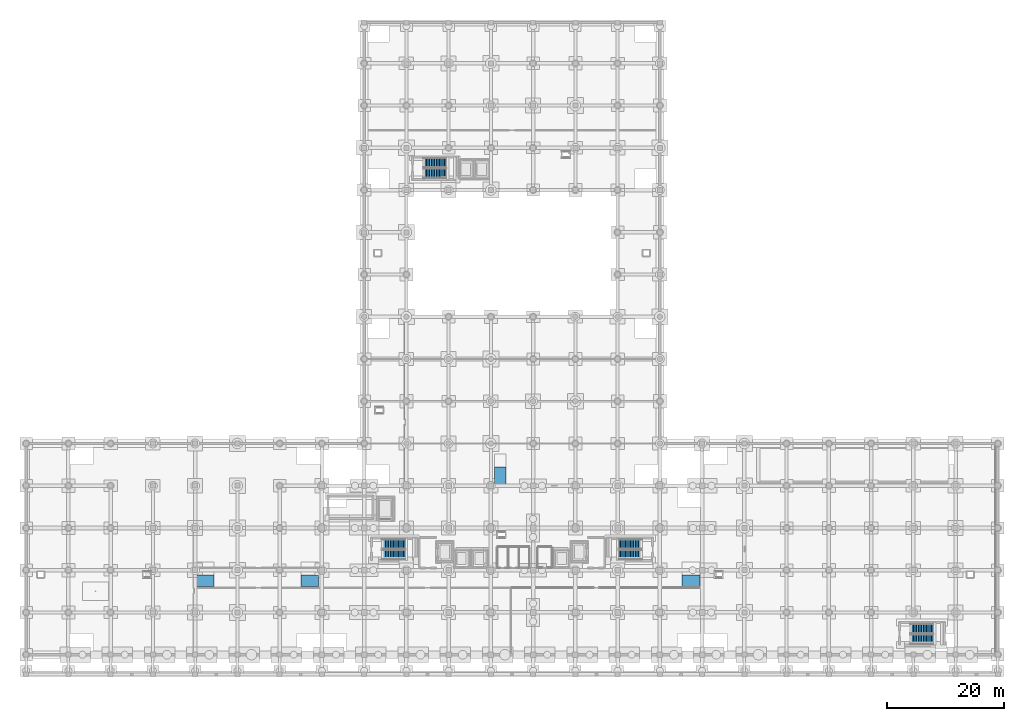
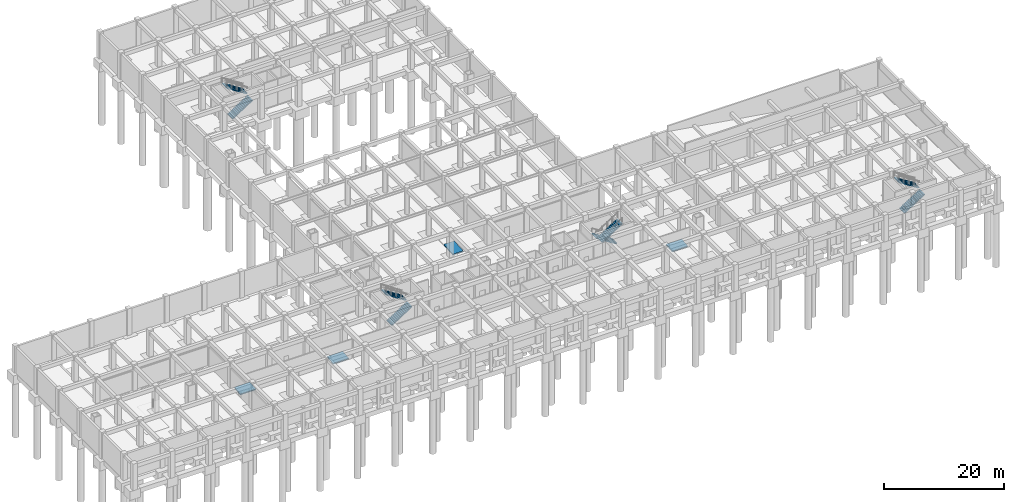
# One storey, part 19 of 26: 8 stair flights, 4 ramp flights, 8 elements without a shape of their own.
"""IFC4 building model written with IfcOpenShell, lengths in metres."""

from ifc_helpers import new_model, si_unit, direction, frame, origin, place, context, subcontext, project, spatial, polyline, outline, extrude, material, layer, layer_set, type_object, element, aggregate, save


model = new_model("IFC4")

# Units and contexts
model_context = context("Model", 3, precision=1e-05, world=origin(), true_north=direction((0.0, 1.0)))
body_context = subcontext(model_context, "Body", "Model", "MODEL_VIEW")
ifc_project = project(units=[si_unit("LENGTHUNIT", "METRE"), si_unit("AREAUNIT", "SQUARE_METRE"), si_unit("VOLUMEUNIT", "CUBIC_METRE"), si_unit("PLANEANGLEUNIT", "RADIAN"), si_unit("MASSUNIT", "GRAM", prefix="KILO")], contexts=[model_context])

# Site, building, storey
site_placement = place(None, origin())
site = spatial("IfcSite", under=ifc_project, at=site_placement, CompositionType="ELEMENT")
building_placement = place(site_placement, origin())
building = spatial("IfcBuilding", under=site, at=building_placement, Name="Kazehaya Institute of Natural Sciences", CompositionType="ELEMENT")
storey_placement = place(building_placement, frame((0.0, 0.0, -5.39990234375)))
storey = spatial("IfcBuildingStorey", under=building, at=storey_placement, Name="B1", CompositionType="ELEMENT", Elevation=-5.39990234375)

# Stair, stair flights
ifc_material = material(Name="Concrete Fc36", Category="concrete")
stair_type = type_object("IfcStairType", Name="STR-DOG-5400", PredefinedType="HALF_TURN_STAIR", material=ifc_material)
stair_1_placement = place(storey_placement, origin())
stair_1 = element("IfcStair", 1, at=stair_1_placement, inside=storey, type_object=stair_type, Name="B1 Protected Escape Stair ST-1", PredefinedType="HALF_TURN_STAIR")
stair_flight_type = type_object("IfcStairFlightType", Name="STF-DOG-5400", PredefinedType="STRAIGHT", material=ifc_material)
stair_flight_1_placement = place(storey_placement, frame((64.860107421875, 23.830078125, 0.0), z_axis=(0.0, 0.0, 1.0), x_axis=(1.0, 0.0, 0.0)))
stair_flight_1 = element("IfcStairFlight", 2, at=stair_flight_1_placement, type_object=stair_flight_type, Name="ST-1 flight 1", NumberOfRisers=15, NumberOfTreads=14, PredefinedType="STRAIGHT", RiserHeight=0.18, TreadLength=0.28, context=body_context, shape_type="SweptSolid", body=[
    extrude(outline(polyline([(0.0, 0.0), (0.0, 0.179931640625), (0.280029296875, 0.179931640625), (0.280029296875, 0.360107421875), (0.56005859375, 0.360107421875), (0.56005859375, 0.5400390625), (0.840087890625, 0.5400390625), (0.840087890625, 0.719970703125), (1.1201171875, 0.719970703125), (1.1201171875, 0.89990234375), (1.39990234375, 0.89990234375), (1.39990234375, 1.080078125), (1.679931640625, 1.080078125), (1.679931640625, 1.260009765625), (1.9599609375, 1.260009765625), (1.9599609375, 1.43994140625), (2.239990234375, 1.43994140625), (2.239990234375, 1.6201171875), (2.52001953125, 1.6201171875), (2.52001953125, 1.800048828125), (2.800048828125, 1.800048828125), (2.800048828125, 1.97998046875), (3.080078125, 1.97998046875), (3.080078125, 2.159912109375), (3.360107421875, 2.159912109375), (3.360107421875, 2.340087890625), (3.639892578125, 2.340087890625), (3.639892578125, 2.52001953125), (3.919921875, 2.52001953125), (3.919921875, 2.699951171875), (3.919921875, 2.341796875), (0.277099609375, 0.0), (0.0, 0.0)])), frame((0.0, 0.830078125, 0.0), z_axis=(0.0, -1.0, 0.0), x_axis=(1.0, 0.0, 0.0)), (0.0, 0.0, 1.0), 1.659912109375),
])
stair_flight_2_placement = place(storey_placement, frame((68.780029296875, 25.64990234375, 2.699951171875), z_axis=(0.0, 0.0, 1.0), x_axis=(-1.0, 0.0, 0.0)))
stair_flight_2 = element("IfcStairFlight", 3, at=stair_flight_2_placement, type_object=stair_flight_type, Name="ST-1 flight 2", NumberOfRisers=15, NumberOfTreads=14, PredefinedType="STRAIGHT", RiserHeight=0.18, TreadLength=0.28, context=body_context, shape_type="SweptSolid", body=[
    extrude(outline(polyline([(0.0, 0.0), (0.0, 0.179931640625), (0.280029296875, 0.179931640625), (0.280029296875, 0.360107421875), (0.56005859375, 0.360107421875), (0.56005859375, 0.5400390625), (0.840087890625, 0.5400390625), (0.840087890625, 0.719970703125), (1.1201171875, 0.719970703125), (1.1201171875, 0.89990234375), (1.39990234375, 0.89990234375), (1.39990234375, 1.080078125), (1.679931640625, 1.080078125), (1.679931640625, 1.260009765625), (1.9599609375, 1.260009765625), (1.9599609375, 1.43994140625), (2.239990234375, 1.43994140625), (2.239990234375, 1.6201171875), (2.52001953125, 1.6201171875), (2.52001953125, 1.800048828125), (2.800048828125, 1.800048828125), (2.800048828125, 1.97998046875), (3.080078125, 1.97998046875), (3.080078125, 2.159912109375), (3.360107421875, 2.159912109375), (3.360107421875, 2.340087890625), (3.639892578125, 2.340087890625), (3.639892578125, 2.52001953125), (3.919921875, 2.52001953125), (3.919921875, 2.699951171875), (3.919921875, 2.341796875), (0.277099609375, 0.0), (0.0, 0.0)])), frame((0.0, 0.830078125, 0.0), z_axis=(0.0, -1.0, 0.0), x_axis=(1.0, 0.0, 0.0)), (0.0, 0.0, 1.0), 1.659912109375),
])
aggregate(stair_1, [stair_flight_1, stair_flight_2])

stair_2_placement = place(storey_placement, origin())
stair_2 = element("IfcStair", 4, at=stair_2_placement, inside=storey, type_object=stair_type, Name="B1 Protected Escape Stair ST-2", PredefinedType="HALF_TURN_STAIR")
stair_flight_3_placement = place(storey_placement, frame((109.139892578125, 25.64990234375, 0.0), z_axis=(0.0, 0.0, 1.0), x_axis=(-1.0, 0.0, 0.0)))
stair_flight_3 = element("IfcStairFlight", 5, at=stair_flight_3_placement, type_object=stair_flight_type, Name="ST-2 flight 1", NumberOfRisers=15, NumberOfTreads=14, PredefinedType="STRAIGHT", RiserHeight=0.18, TreadLength=0.28, context=body_context, shape_type="SweptSolid", body=[
    extrude(outline(polyline([(0.0, 0.0), (0.0, 0.179931640625), (0.280029296875, 0.179931640625), (0.280029296875, 0.360107421875), (0.56005859375, 0.360107421875), (0.56005859375, 0.5400390625), (0.840087890625, 0.5400390625), (0.840087890625, 0.719970703125), (1.1201171875, 0.719970703125), (1.1201171875, 0.89990234375), (1.39990234375, 0.89990234375), (1.39990234375, 1.080078125), (1.679931640625, 1.080078125), (1.679931640625, 1.260009765625), (1.9599609375, 1.260009765625), (1.9599609375, 1.43994140625), (2.239990234375, 1.43994140625), (2.239990234375, 1.6201171875), (2.52001953125, 1.6201171875), (2.52001953125, 1.800048828125), (2.800048828125, 1.800048828125), (2.800048828125, 1.97998046875), (3.080078125, 1.97998046875), (3.080078125, 2.159912109375), (3.360107421875, 2.159912109375), (3.360107421875, 2.340087890625), (3.639892578125, 2.340087890625), (3.639892578125, 2.52001953125), (3.919921875, 2.52001953125), (3.919921875, 2.699951171875), (3.919921875, 2.341796875), (0.277099609375, 0.0), (0.0, 0.0)])), frame((0.0, 0.830078125, 0.0), z_axis=(0.0, -1.0, 0.0), x_axis=(1.0, 0.0, 0.0)), (0.0, 0.0, 1.0), 1.659912109375),
])
stair_flight_4_placement = place(storey_placement, frame((105.219970703125, 23.830078125, 2.699951171875), z_axis=(0.0, 0.0, 1.0), x_axis=(1.0, 0.0, 0.0)))
stair_flight_4 = element("IfcStairFlight", 6, at=stair_flight_4_placement, type_object=stair_flight_type, Name="ST-2 flight 2", NumberOfRisers=15, NumberOfTreads=14, PredefinedType="STRAIGHT", RiserHeight=0.18, TreadLength=0.28, context=body_context, shape_type="SweptSolid", body=[
    extrude(outline(polyline([(0.0, 0.0), (0.0, 0.179931640625), (0.280029296875, 0.179931640625), (0.280029296875, 0.360107421875), (0.56005859375, 0.360107421875), (0.56005859375, 0.5400390625), (0.840087890625, 0.5400390625), (0.840087890625, 0.719970703125), (1.1201171875, 0.719970703125), (1.1201171875, 0.89990234375), (1.39990234375, 0.89990234375), (1.39990234375, 1.080078125), (1.679931640625, 1.080078125), (1.679931640625, 1.260009765625), (1.9599609375, 1.260009765625), (1.9599609375, 1.43994140625), (2.239990234375, 1.43994140625), (2.239990234375, 1.6201171875), (2.52001953125, 1.6201171875), (2.52001953125, 1.800048828125), (2.800048828125, 1.800048828125), (2.800048828125, 1.97998046875), (3.080078125, 1.97998046875), (3.080078125, 2.159912109375), (3.360107421875, 2.159912109375), (3.360107421875, 2.340087890625), (3.639892578125, 2.340087890625), (3.639892578125, 2.52001953125), (3.919921875, 2.52001953125), (3.919921875, 2.699951171875), (3.919921875, 2.341796875), (0.277099609375, 0.0), (0.0, 0.0)])), frame((0.0, 0.830078125, 0.0), z_axis=(0.0, -1.0, 0.0), x_axis=(1.0, 0.0, 0.0)), (0.0, 0.0, 1.0), 1.659912109375),
])
aggregate(stair_2, [stair_flight_3, stair_flight_4])

stair_3_placement = place(storey_placement, origin())
stair_3 = element("IfcStair", 7, at=stair_3_placement, inside=storey, type_object=stair_type, Name="B1 Protected Escape Stair ST-3", PredefinedType="HALF_TURN_STAIR")
stair_flight_5_placement = place(storey_placement, frame((71.860107421875, 88.830078125, 0.0), z_axis=(0.0, 0.0, 1.0), x_axis=(1.0, 0.0, 0.0)))
stair_flight_5 = element("IfcStairFlight", 8, at=stair_flight_5_placement, type_object=stair_flight_type, Name="ST-3 flight 1", NumberOfRisers=15, NumberOfTreads=14, PredefinedType="STRAIGHT", RiserHeight=0.18, TreadLength=0.28, context=body_context, shape_type="SweptSolid", body=[
    extrude(outline(polyline([(0.0, 0.0), (0.0, 0.179931640625), (0.280029296875, 0.179931640625), (0.280029296875, 0.360107421875), (0.56005859375, 0.360107421875), (0.56005859375, 0.5400390625), (0.840087890625, 0.5400390625), (0.840087890625, 0.719970703125), (1.1201171875, 0.719970703125), (1.1201171875, 0.89990234375), (1.39990234375, 0.89990234375), (1.39990234375, 1.080078125), (1.679931640625, 1.080078125), (1.679931640625, 1.260009765625), (1.9599609375, 1.260009765625), (1.9599609375, 1.43994140625), (2.239990234375, 1.43994140625), (2.239990234375, 1.6201171875), (2.52001953125, 1.6201171875), (2.52001953125, 1.800048828125), (2.800048828125, 1.800048828125), (2.800048828125, 1.97998046875), (3.080078125, 1.97998046875), (3.080078125, 2.159912109375), (3.360107421875, 2.159912109375), (3.360107421875, 2.340087890625), (3.639892578125, 2.340087890625), (3.639892578125, 2.52001953125), (3.919921875, 2.52001953125), (3.919921875, 2.699951171875), (3.919921875, 2.341796875), (0.277099609375, 0.0), (0.0, 0.0)])), frame((0.0, 0.830078125, 0.0), z_axis=(0.0, -1.0, 0.0), x_axis=(1.0, 0.0, 0.0)), (0.0, 0.0, 1.0), 1.659912109375),
])
stair_flight_6_placement = place(storey_placement, frame((75.780029296875, 90.64990234375, 2.699951171875), z_axis=(0.0, 0.0, 1.0), x_axis=(-1.0, 0.0, 0.0)))
stair_flight_6 = element("IfcStairFlight", 9, at=stair_flight_6_placement, type_object=stair_flight_type, Name="ST-3 flight 2", NumberOfRisers=15, NumberOfTreads=14, PredefinedType="STRAIGHT", RiserHeight=0.18, TreadLength=0.28, context=body_context, shape_type="SweptSolid", body=[
    extrude(outline(polyline([(0.0, 0.0), (0.0, 0.179931640625), (0.280029296875, 0.179931640625), (0.280029296875, 0.360107421875), (0.56005859375, 0.360107421875), (0.56005859375, 0.5400390625), (0.840087890625, 0.5400390625), (0.840087890625, 0.719970703125), (1.1201171875, 0.719970703125), (1.1201171875, 0.89990234375), (1.39990234375, 0.89990234375), (1.39990234375, 1.080078125), (1.679931640625, 1.080078125), (1.679931640625, 1.260009765625), (1.9599609375, 1.260009765625), (1.9599609375, 1.43994140625), (2.239990234375, 1.43994140625), (2.239990234375, 1.6201171875), (2.52001953125, 1.6201171875), (2.52001953125, 1.800048828125), (2.800048828125, 1.800048828125), (2.800048828125, 1.97998046875), (3.080078125, 1.97998046875), (3.080078125, 2.159912109375), (3.360107421875, 2.159912109375), (3.360107421875, 2.340087890625), (3.639892578125, 2.340087890625), (3.639892578125, 2.52001953125), (3.919921875, 2.52001953125), (3.919921875, 2.699951171875), (3.919921875, 2.341796875), (0.277099609375, 0.0), (0.0, 0.0)])), frame((0.0, 0.830078125, 0.0), z_axis=(0.0, -1.0, 0.0), x_axis=(1.0, 0.0, 0.0)), (0.0, 0.0, 1.0), 1.659912109375),
])
aggregate(stair_3, [stair_flight_5, stair_flight_6])

stair_4_placement = place(storey_placement, origin())
stair_4 = element("IfcStair", 10, at=stair_4_placement, inside=storey, type_object=stair_type, Name="B1 Protected Escape Stair ST-5", PredefinedType="HALF_TURN_STAIR")
stair_flight_7_placement = place(storey_placement, frame((154.860107421875, 9.429931640625, 0.0), z_axis=(0.0, 0.0, 1.0), x_axis=(1.0, 0.0, 0.0)))
stair_flight_7 = element("IfcStairFlight", 11, at=stair_flight_7_placement, type_object=stair_flight_type, Name="ST-5 flight 1", NumberOfRisers=15, NumberOfTreads=14, PredefinedType="STRAIGHT", RiserHeight=0.18, TreadLength=0.28, context=body_context, shape_type="SweptSolid", body=[
    extrude(outline(polyline([(0.0, 0.0), (0.0, 0.179931640625), (0.280029296875, 0.179931640625), (0.280029296875, 0.360107421875), (0.56005859375, 0.360107421875), (0.56005859375, 0.5400390625), (0.840087890625, 0.5400390625), (0.840087890625, 0.719970703125), (1.1201171875, 0.719970703125), (1.1201171875, 0.89990234375), (1.39990234375, 0.89990234375), (1.39990234375, 1.080078125), (1.679931640625, 1.080078125), (1.679931640625, 1.260009765625), (1.9599609375, 1.260009765625), (1.9599609375, 1.43994140625), (2.239990234375, 1.43994140625), (2.239990234375, 1.6201171875), (2.52001953125, 1.6201171875), (2.52001953125, 1.800048828125), (2.800048828125, 1.800048828125), (2.800048828125, 1.97998046875), (3.080078125, 1.97998046875), (3.080078125, 2.159912109375), (3.360107421875, 2.159912109375), (3.360107421875, 2.340087890625), (3.639892578125, 2.340087890625), (3.639892578125, 2.52001953125), (3.919921875, 2.52001953125), (3.919921875, 2.699951171875), (3.919921875, 2.341796875), (0.277099609375, 0.0), (0.0, 0.0)])), frame((0.0, 0.830078125, 0.0), z_axis=(0.0, -1.0, 0.0), x_axis=(1.0, 0.0, 0.0)), (0.0, 0.0, 1.0), 1.659912109375),
])
stair_flight_8_placement = place(storey_placement, frame((158.780029296875, 11.25, 2.699951171875), z_axis=(0.0, 0.0, 1.0), x_axis=(-1.0, 0.0, 0.0)))
stair_flight_8 = element("IfcStairFlight", 12, at=stair_flight_8_placement, type_object=stair_flight_type, Name="ST-5 flight 2", NumberOfRisers=15, NumberOfTreads=14, PredefinedType="STRAIGHT", RiserHeight=0.18, TreadLength=0.28, context=body_context, shape_type="SweptSolid", body=[
    extrude(outline(polyline([(0.0, 0.0), (0.0, 0.179931640625), (0.280029296875, 0.179931640625), (0.280029296875, 0.360107421875), (0.56005859375, 0.360107421875), (0.56005859375, 0.5400390625), (0.840087890625, 0.5400390625), (0.840087890625, 0.719970703125), (1.1201171875, 0.719970703125), (1.1201171875, 0.89990234375), (1.39990234375, 0.89990234375), (1.39990234375, 1.080078125), (1.679931640625, 1.080078125), (1.679931640625, 1.260009765625), (1.9599609375, 1.260009765625), (1.9599609375, 1.43994140625), (2.239990234375, 1.43994140625), (2.239990234375, 1.6201171875), (2.52001953125, 1.6201171875), (2.52001953125, 1.800048828125), (2.800048828125, 1.800048828125), (2.800048828125, 1.97998046875), (3.080078125, 1.97998046875), (3.080078125, 2.159912109375), (3.360107421875, 2.159912109375), (3.360107421875, 2.340087890625), (3.639892578125, 2.340087890625), (3.639892578125, 2.52001953125), (3.919921875, 2.52001953125), (3.919921875, 2.699951171875), (3.919921875, 2.341796875), (0.277099609375, 0.0), (0.0, 0.0)])), frame((0.0, 0.830078125, 0.0), z_axis=(0.0, -1.0, 0.0), x_axis=(1.0, 0.0, 0.0)), (0.0, 0.0, 1.0), 1.659912109375),
])
aggregate(stair_4, [stair_flight_7, stair_flight_8])

# Ramp, ramp flight
ramp_type = type_object("IfcRampType", Name="RMP-ACC", PredefinedType="STRAIGHT_RUN_RAMP", material=ifc_material)
ramp_1_placement = place(storey_placement, origin())
ramp_1 = element("IfcRamp", 13, at=ramp_1_placement, inside=storey, type_object=ramp_type, Name="Barrier-free threshold ramp RAMP-ACC-01", PredefinedType="STRAIGHT_RUN_RAMP")
ifc_layer = layer(ifc_material, 0.219970703125, Name="Concrete Fc36", Category="concrete")
ifc_layer_set = layer_set([ifc_layer], Name="Concrete Fc36")
ramp_flight_type = type_object("IfcRampFlightType", Name="RMPF-220", PredefinedType="STRAIGHT", material=ifc_layer_set)
ramp_flight_1_placement = place(storey_placement, frame((33.199951171875, 18.39990234375, 0.0), z_axis=(0.0, -0.104406717299, 0.994534683851), x_axis=(1.0, 0.0, 0.0)))
ramp_flight_1 = element("IfcRampFlight", 14, at=ramp_flight_1_placement, type_object=ramp_flight_type, Name="Barrier-free threshold ramp flight RAMP-ACC-01", PredefinedType="STRAIGHT", context=body_context, shape_type="SweptSolid", body=[
    extrude(outline(polyline([(0.0, 0.0), (3.0, 0.0), (3.0, 2.010990699947635), (0.0, 2.010990699947635), (0.0, 0.0)])), origin(), (0.0, 0.0, -1.0), 0.219970703125),
])
aggregate(ramp_1, [ramp_flight_1])

ramp_2_placement = place(storey_placement, origin())
ramp_2 = element("IfcRamp", 15, at=ramp_2_placement, inside=storey, type_object=ramp_type, Name="Barrier-free threshold ramp RAMP-ACC-02", PredefinedType="STRAIGHT_RUN_RAMP")
ramp_flight_2_placement = place(storey_placement, frame((51.0, 18.39990234375, 0.0), z_axis=(0.0, -0.104406717299, 0.994534683851), x_axis=(1.0, 0.0, 0.0)))
ramp_flight_2 = element("IfcRampFlight", 16, at=ramp_flight_2_placement, type_object=ramp_flight_type, Name="Barrier-free threshold ramp flight RAMP-ACC-02", PredefinedType="STRAIGHT", context=body_context, shape_type="SweptSolid", body=[
    extrude(outline(polyline([(0.0, 0.0), (3.0, 0.0), (3.0, 2.010990699947635), (0.0, 2.010990699947635), (0.0, 0.0)])), origin(), (0.0, 0.0, -1.0), 0.219970703125),
])
aggregate(ramp_2, [ramp_flight_2])

ramp_3_placement = place(storey_placement, origin())
ramp_3 = element("IfcRamp", 17, at=ramp_3_placement, inside=storey, type_object=ramp_type, Name="Barrier-free threshold ramp RAMP-ACC-03", PredefinedType="STRAIGHT_RUN_RAMP")
ramp_flight_3_placement = place(storey_placement, frame((84.0, 35.800048828125, 0.0), z_axis=(0.0, -0.069816201969, 0.997559871859), x_axis=(1.0, 0.0, 0.0)))
ramp_flight_3 = element("IfcRampFlight", 18, at=ramp_flight_3_placement, type_object=ramp_flight_type, Name="Barrier-free threshold ramp flight RAMP-ACC-03", PredefinedType="STRAIGHT", context=body_context, shape_type="SweptSolid", body=[
    extrude(outline(polyline([(0.0, 0.0), (2.0, 0.0), (2.0, 3.007338290794017), (0.0, 3.007338290794017), (0.0, 0.0)])), origin(), (0.0, 0.0, -1.0), 0.219970703125),
])
aggregate(ramp_3, [ramp_flight_3])

ramp_4_placement = place(storey_placement, origin())
ramp_4 = element("IfcRamp", 19, at=ramp_4_placement, inside=storey, type_object=ramp_type, Name="Barrier-free threshold ramp RAMP-ACC-04", PredefinedType="STRAIGHT_RUN_RAMP")
ramp_flight_4_placement = place(storey_placement, frame((116.0, 18.39990234375, 0.0), z_axis=(0.0, -0.104406717299, 0.994534683851), x_axis=(1.0, 0.0, 0.0)))
ramp_flight_4 = element("IfcRampFlight", 20, at=ramp_flight_4_placement, type_object=ramp_flight_type, Name="Barrier-free threshold ramp flight RAMP-ACC-04", PredefinedType="STRAIGHT", context=body_context, shape_type="SweptSolid", body=[
    extrude(outline(polyline([(0.0, 0.0), (3.0, 0.0), (3.0, 2.010990699947635), (0.0, 2.010990699947635), (0.0, 0.0)])), origin(), (0.0, 0.0, -1.0), 0.219970703125),
])
aggregate(ramp_4, [ramp_flight_4])

save(model, "model.ifc")
